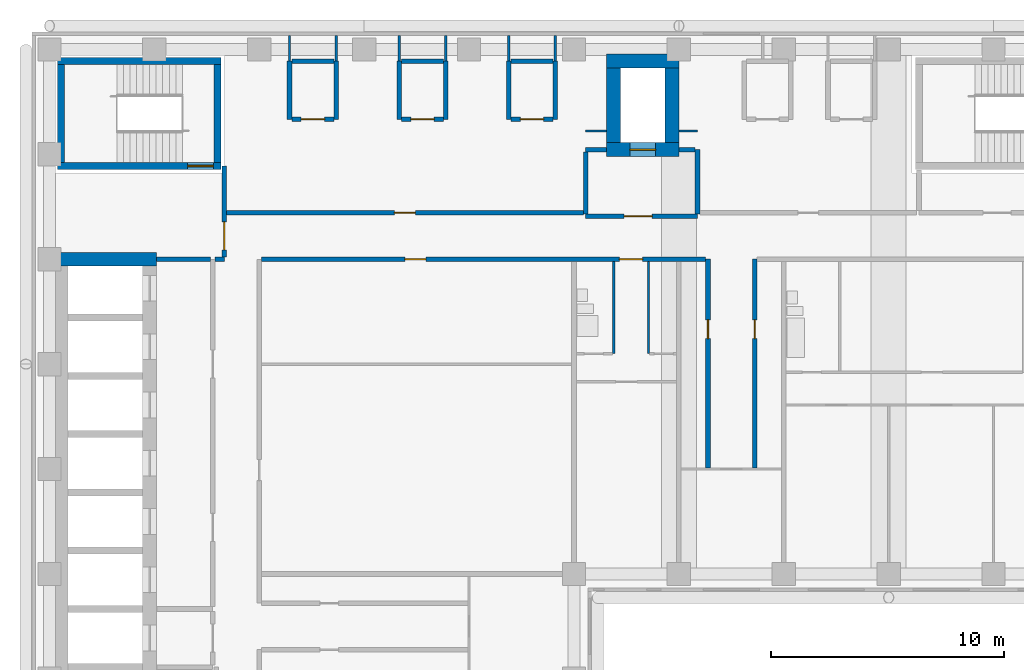
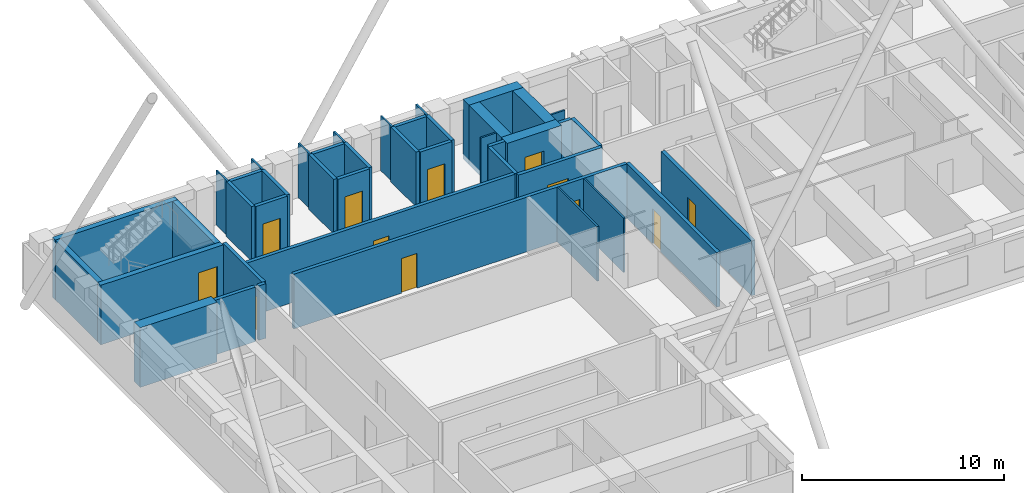
# One storey, part 6 of 13: 43 walls, 12 doors, 12 openings.
"""IFC4 building model written with IfcOpenShell, lengths in metres."""

from ifc_helpers import new_model, si_unit, direction, frame, frame_2d, origin, place, context, subcontext, project, spatial, rectangle, extrude, material, layer, layer_set, type_object, element, fill, save


model = new_model("IFC4")

# Units and contexts
model_context = context("Model", 3, precision=1e-05, world=origin(), true_north=direction((0.0, 1.0)))
body_context = subcontext(model_context, "Body", "Model", "MODEL_VIEW")
ifc_project = project(units=[si_unit("LENGTHUNIT", "METRE"), si_unit("AREAUNIT", "SQUARE_METRE"), si_unit("VOLUMEUNIT", "CUBIC_METRE"), si_unit("PLANEANGLEUNIT", "RADIAN"), si_unit("MASSUNIT", "GRAM", prefix="KILO")], contexts=[model_context])

# Site, building, storey
site_placement = place(None, origin())
site = spatial("IfcSite", under=ifc_project, at=site_placement, CompositionType="ELEMENT")
building_placement = place(site_placement, origin())
building = spatial("IfcBuilding", under=site, at=building_placement, Name="Firuza Court", CompositionType="ELEMENT")
storey_placement = place(building_placement, frame((0.0, 0.0, 141.199951171875)))
storey = spatial("IfcBuildingStorey", under=building, at=storey_placement, Name="L35", CompositionType="ELEMENT", Elevation=141.199951171875)

# Wall
ifc_material_1 = material(Name="Moisture-resistant gypsum board partition")
ifc_layer_1 = layer(ifc_material_1, 0.10009765625)
ifc_layer_set_1 = layer_set([ifc_layer_1], Name="Moisture-resistant gypsum board partition")
wall_type_1 = type_object("IfcWallType", Name="Bathroom partition 100", PredefinedType="PLUMBINGWALL", material=ifc_layer_set_1)
wall_1_placement = place(storey_placement, frame((24.199951171875, 45.449951171875, 0.0), z_axis=(0.0, 0.0, 1.0), x_axis=(0.0, 1.0, 0.0)))
element("IfcWall", 1, at=wall_1_placement, inside=storey, type_object=wall_type_1, Name="Bathroom partition 100 L35", PredefinedType="PLUMBINGWALL", context=body_context, shape_type="SweptSolid", body=[
    extrude(rectangle(XDim=3.949951171875, YDim=0.10009765625, at=frame_2d((1.97509765625, 0.0))), origin(), (0.0, 0.0, 1.0), 3.300048828125),
])

# Wall, opening, door
ifc_material_2 = material(Name="Concrete C60/75", Category="concrete")
ifc_layer_2 = layer(ifc_material_2, 0.300048828125)
ifc_layer_set_2 = layer_set([ifc_layer_2], Name="Concrete C60/75")
wall_type_2 = type_object("IfcWallType", Name="Core wall 300 C60/75", PredefinedType="SHEAR", material=ifc_layer_set_2)
wall_2_placement = place(storey_placement, frame((0.35009765625, 53.5, -0.300048828125), z_axis=(0.0, 0.0, 1.0), x_axis=(1.0, 0.0, 0.0)))
wall_2 = element("IfcWall", 2, at=wall_2_placement, inside=storey, type_object=wall_type_2, Name="Core wall stair L35", PredefinedType="SHEAR", context=body_context, shape_type="SweptSolid", body=[
    extrude(rectangle(XDim=7.0, YDim=0.300048828125, at=frame_2d((3.5, 0.0))), origin(), (0.0, 0.0, 1.0), 3.60009765625),
])
opening_1_placement = place(wall_2_placement, frame((5.580078125, 0.0, 0.300048828125)))
opening_1 = element("IfcOpeningElement", 3, at=opening_1_placement, cuts=wall_2, Name="Opening D35015", PredefinedType="OPENING", context=body_context, shape_type="SweptSolid", body=[
    extrude(rectangle(XDim=1.10009765625, YDim=2.10009765625, at=frame_2d((0.550048828125, 1.050048828125))), frame((0.0, 0.162109375, 0.0), z_axis=(0.0, -1.0, 0.0), x_axis=(1.0, 0.0, 0.0)), (0.0, 0.0, 1.0), 0.323974609375),
])
ifc_material_3 = material(Name="Timber door leaf in hardwood frame", Category="wood")
door_type_1 = type_object("IfcDoorType", Name="Stair door 1100", OperationType="SINGLE_SWING_LEFT", PredefinedType="DOOR", material=ifc_material_3)
door_1_placement = place(opening_1_placement, origin())
door_1 = element("IfcDoor", 4, at=door_1_placement, inside=storey, type_object=door_type_1, Name="Stair door S3", OperationType="SINGLE_SWING_RIGHT", OverallHeight=2.10009765625, OverallWidth=1.10009765625, PredefinedType="DOOR", context=body_context, shape_type="SweptSolid", body=[
    extrude(rectangle(XDim=1.10009765625, YDim=2.10009765625, at=frame_2d((0.550048828125, 1.050048828125))), frame((0.0, 0.02490234375, 0.0), z_axis=(0.0, -1.0, 0.0), x_axis=(1.0, 0.0, 0.0)), (0.0, 0.0, 1.0), 0.050048828125),
])
fill(opening_1, door_1)

# Walls
wall_3_placement = place(storey_placement, frame((0.35009765625, 58.0, -0.300048828125), z_axis=(0.0, 0.0, 1.0), x_axis=(1.0, 0.0, 0.0)))
element("IfcWall", 5, at=wall_3_placement, inside=storey, type_object=wall_type_2, Name="Core wall stair L35", PredefinedType="SHEAR", context=body_context, shape_type="SweptSolid", body=[
    extrude(rectangle(XDim=7.0, YDim=0.300048828125, at=frame_2d((3.5, 0.0))), origin(), (0.0, 0.0, 1.0), 3.60009765625),
])
for number, where, z_axis, x_axis, name in (
    (6, (0.5, 53.64990234375, -0.300048828125), (0.0, 0.0, 1.0), (0.0, 1.0, 0.0), "Core wall stair L35"),
    (7, (7.199951171875, 53.64990234375, -0.300048828125), (0.0, 0.0, 1.0), (0.0, 1.0, 0.0), "Core wall stair L35"),
):
    element("IfcWall", number, at=place(storey_placement, frame(where, z_axis=z_axis, x_axis=x_axis)), inside=storey, type_object=wall_type_2, Name=name, PredefinedType="SHEAR", context=body_context, shape_type="SweptSolid", body=[
        extrude(rectangle(XDim=4.2001953125, YDim=0.300048828125, at=frame_2d((2.10009765625, 0.0))), origin(), (0.0, 0.0, 1.0), 3.60009765625),
    ])
ifc_layer_3 = layer(ifc_material_2, 0.60009765625)
ifc_layer_set_3 = layer_set([ifc_layer_3], Name="Concrete C60/75")
wall_type_3 = type_object("IfcWallType", Name="Core wall 600 C60/75", PredefinedType="SHEAR", material=ifc_layer_set_3)
wall_4_placement = place(storey_placement, frame((0.199951171875, 49.5, -0.300048828125), z_axis=(0.0, 0.0, 1.0), x_axis=(1.0, 0.0, 0.0)))
element("IfcWall", 8, at=wall_4_placement, inside=storey, type_object=wall_type_3, Name="Core wall lift shaft L35", PredefinedType="SHEAR", context=body_context, shape_type="SweptSolid", body=[
    extrude(rectangle(XDim=4.400146484375, YDim=0.60009765625, at=frame_2d((2.2001953125, 0.0))), origin(), (0.0, 0.0, 1.0), 3.60009765625),
])

# Wall, opening, door
wall_5_placement = place(storey_placement, frame((23.89990234375, 54.199951171875, -0.300048828125), z_axis=(0.0, 0.0, 1.0), x_axis=(1.0, 0.0, 0.0)))
wall_5 = element("IfcWall", 9, at=wall_5_placement, inside=storey, type_object=wall_type_3, Name="Core wall lift shaft L35", PredefinedType="SHEAR", context=body_context, shape_type="SweptSolid", body=[
    extrude(rectangle(XDim=3.10009765625, YDim=0.60009765625, at=frame_2d((1.550048828125, 0.0))), origin(), (0.0, 0.0, 1.0), 3.60009765625),
])
opening_2_placement = place(wall_5_placement, frame((1.0, 0.0, 0.300048828125)))
opening_2 = element("IfcOpeningElement", 10, at=opening_2_placement, cuts=wall_5, Name="Opening LD-FL3-35", PredefinedType="OPENING", context=body_context, shape_type="SweptSolid", body=[
    extrude(rectangle(XDim=1.10009765625, YDim=2.10009765625, at=frame_2d((0.550048828125, 1.050048828125))), frame((0.0, 0.31201171875, 0.0), z_axis=(0.0, -1.0, 0.0), x_axis=(1.0, 0.0, 0.0)), (0.0, 0.0, 1.0), 0.6240234375),
])
ifc_material_4 = material(Name="Stainless steel 1.4301 door leaf", Category="steel")
door_type_2 = type_object("IfcDoorType", Name="Lift landing door 1100", OperationType="SLIDING_TO_LEFT", PredefinedType="DOOR", material=ifc_material_4)
door_2_placement = place(opening_2_placement, origin())
door_2 = element("IfcDoor", 11, at=door_2_placement, inside=storey, type_object=door_type_2, Name="Landing door FL3", OperationType="SLIDING_TO_LEFT", OverallHeight=2.10009765625, OverallWidth=1.10009765625, PredefinedType="DOOR", context=body_context, shape_type="SweptSolid", body=[
    extrude(rectangle(XDim=1.10009765625, YDim=2.10009765625, at=frame_2d((0.550048828125, 1.050048828125))), frame((0.0, 0.02490234375, 0.0), z_axis=(0.0, -1.0, 0.0), x_axis=(1.0, 0.0, 0.0)), (0.0, 0.0, 1.0), 0.050048828125),
])
fill(opening_2, door_2)

# Walls
wall_6_placement = place(storey_placement, frame((23.89990234375, 58.0, -0.300048828125), z_axis=(0.0, 0.0, 1.0), x_axis=(1.0, 0.0, 0.0)))
element("IfcWall", 12, at=wall_6_placement, inside=storey, type_object=wall_type_3, Name="Core wall lift shaft L35", PredefinedType="SHEAR", context=body_context, shape_type="SweptSolid", body=[
    extrude(rectangle(XDim=3.10009765625, YDim=0.60009765625, at=frame_2d((1.550048828125, 0.0))), origin(), (0.0, 0.0, 1.0), 3.60009765625),
])
for number, where, z_axis, x_axis, name in (
    (13, (24.199951171875, 54.5, -0.300048828125), (0.0, 0.0, 1.0), (0.0, 1.0, 0.0), "Core wall lift shaft L35"),
    (14, (26.699951171875, 54.5, -0.300048828125), (0.0, 0.0, 1.0), (0.0, 1.0, 0.0), "Core wall lift shaft L35"),
):
    element("IfcWall", number, at=place(storey_placement, frame(where, z_axis=z_axis, x_axis=x_axis)), inside=storey, type_object=wall_type_3, Name=name, PredefinedType="SHEAR", context=body_context, shape_type="SweptSolid", body=[
        extrude(rectangle(XDim=3.199951171875, YDim=0.60009765625, at=frame_2d((1.60009765625, 0.0))), origin(), (0.0, 0.0, 1.0), 3.60009765625),
    ])

# Wall, opening, door
ifc_material_5 = material(Name="Blockwork, plastered both sides", Category="masonry")
ifc_layer_4 = layer(ifc_material_5, 0.199951171875)
ifc_layer_set_4 = layer_set([ifc_layer_4], Name="Blockwork, plastered both sides")
wall_type_4 = type_object("IfcWallType", Name="Corridor wall 200", PredefinedType="PARTITIONING", material=ifc_layer_set_4)
wall_7_placement = place(storey_placement, frame((28.25, 40.550048828125, 0.0), z_axis=(0.0, 0.0, 1.0), x_axis=(0.0, 1.0, 0.0)))
wall_7 = element("IfcWall", 15, at=wall_7_placement, inside=storey, type_object=wall_type_4, Name="Corridor wall 200 L35", PredefinedType="PARTITIONING", context=body_context, shape_type="SweptSolid", body=[
    extrude(rectangle(XDim=8.949951171875, YDim=0.199951171875, at=frame_2d((4.47509765625, 0.0))), origin(), (0.0, 0.0, 1.0), 3.300048828125),
])
opening_3_placement = place(wall_7_placement, frame((5.550048828125, 0.0, 0.0)))
opening_3 = element("IfcOpeningElement", 16, at=opening_3_placement, cuts=wall_7, Name="Opening D35041", PredefinedType="OPENING", context=body_context, shape_type="SweptSolid", body=[
    extrude(rectangle(XDim=0.800048828125, YDim=2.10009765625, at=frame_2d((0.39990234375, 1.050048828125))), frame((0.0, 0.11181640625, 0.0), z_axis=(0.0, -1.0, 0.0), x_axis=(1.0, 0.0, 0.0)), (0.0, 0.0, 1.0), 0.223876953125),
])
ifc_material_6 = material(Name="Timber door leaf in hardwood frame", Category="wood")
door_type_3 = type_object("IfcDoorType", Name="Room door 800 EI 30", OperationType="SINGLE_SWING_LEFT", PredefinedType="DOOR", material=ifc_material_6)
door_3_placement = place(opening_3_placement, origin())
door_3 = element("IfcDoor", 17, at=door_3_placement, inside=storey, type_object=door_type_3, Name="Store door", OperationType="SINGLE_SWING_RIGHT", OverallHeight=2.10009765625, OverallWidth=0.800048828125, PredefinedType="DOOR", context=body_context, shape_type="SweptSolid", body=[
    extrude(rectangle(XDim=0.800048828125, YDim=2.10009765625, at=frame_2d((0.39990234375, 1.050048828125))), frame((0.0, 0.02490234375, 0.0), z_axis=(0.0, -1.0, 0.0), x_axis=(1.0, 0.0, 0.0)), (0.0, 0.0, 1.0), 0.050048828125),
])
fill(opening_3, door_3)

wall_8_placement = place(storey_placement, frame((30.25, 40.550048828125, 0.0), z_axis=(0.0, 0.0, 1.0), x_axis=(0.0, 1.0, 0.0)))
wall_8 = element("IfcWall", 18, at=wall_8_placement, inside=storey, type_object=wall_type_4, Name="Corridor wall 200 L35", PredefinedType="PARTITIONING", context=body_context, shape_type="SweptSolid", body=[
    extrude(rectangle(XDim=8.949951171875, YDim=0.199951171875, at=frame_2d((4.47509765625, 0.0))), origin(), (0.0, 0.0, 1.0), 3.300048828125),
])
opening_4_placement = place(wall_8_placement, frame((5.550048828125, 0.0, 0.0)))
opening_4 = element("IfcOpeningElement", 19, at=opening_4_placement, cuts=wall_8, Name="Opening D35042", PredefinedType="OPENING", context=body_context, shape_type="SweptSolid", body=[
    extrude(rectangle(XDim=0.800048828125, YDim=2.10009765625, at=frame_2d((0.39990234375, 1.050048828125))), frame((0.0, 0.11181640625, 0.0), z_axis=(0.0, -1.0, 0.0), x_axis=(1.0, 0.0, 0.0)), (0.0, 0.0, 1.0), 0.223876953125),
])
door_4_placement = place(opening_4_placement, frame((0.800048828125, 0.0, 0.0), z_axis=(0.0, 0.0, 1.0), x_axis=(-1.0, 0.0, 0.0)))
door_4 = element("IfcDoor", 20, at=door_4_placement, inside=storey, type_object=door_type_3, Name="Store door", OperationType="SINGLE_SWING_LEFT", OverallHeight=2.10009765625, OverallWidth=0.800048828125, PredefinedType="DOOR", context=body_context, shape_type="SweptSolid", body=[
    extrude(rectangle(XDim=0.800048828125, YDim=2.10009765625, at=frame_2d((0.39990234375, 1.050048828125))), frame((0.0, 0.02490234375, 0.0), z_axis=(0.0, -1.0, 0.0), x_axis=(1.0, 0.0, 0.0)), (0.0, 0.0, 1.0), 0.050048828125),
])
fill(opening_4, door_4)

# Wall, openings, doors
wall_9_placement = place(storey_placement, frame((9.10009765625, 49.5, 0.0), z_axis=(0.0, 0.0, 1.0), x_axis=(1.0, 0.0, 0.0)))
wall_9 = element("IfcWall", 21, at=wall_9_placement, inside=storey, type_object=wall_type_4, Name="Corridor wall 200 L35", PredefinedType="PARTITIONING", context=body_context, shape_type="SweptSolid", body=[
    extrude(rectangle(XDim=19.0498046875, YDim=0.199951171875, at=frame_2d((9.52490234375, 0.0))), origin(), (0.0, 0.0, 1.0), 3.300048828125),
])
opening_5_placement = place(wall_9_placement, frame((15.35009765625, 0.0, 0.0)))
opening_5 = element("IfcOpeningElement", 22, at=opening_5_placement, cuts=wall_9, Name="Opening D35063", PredefinedType="OPENING", context=body_context, shape_type="SweptSolid", body=[
    extrude(rectangle(XDim=1.0, YDim=2.10009765625, at=frame_2d((0.5, 1.050048828125))), frame((0.0, 0.11181640625, 0.0), z_axis=(0.0, -1.0, 0.0), x_axis=(1.0, 0.0, 0.0)), (0.0, 0.0, 1.0), 0.223876953125),
])
opening_6_placement = place(wall_9_placement, frame((6.14990234375, 0.0, 0.0)))
opening_6 = element("IfcOpeningElement", 23, at=opening_6_placement, cuts=wall_9, Name="Opening D35064", PredefinedType="OPENING", context=body_context, shape_type="SweptSolid", body=[
    extrude(rectangle(XDim=0.89990234375, YDim=2.10009765625, at=frame_2d((0.449951171875, 1.050048828125))), frame((0.0, 0.11181640625, 0.0), z_axis=(0.0, -1.0, 0.0), x_axis=(1.0, 0.0, 0.0)), (0.0, 0.0, 1.0), 0.223876953125),
])
ifc_material_7 = material(Name="Timber door leaf in hardwood frame", Category="wood")
door_type_4 = type_object("IfcDoorType", Name="Flat entrance door 1000", OperationType="SINGLE_SWING_LEFT", PredefinedType="DOOR", material=ifc_material_7)
door_5_placement = place(opening_5_placement, origin())
door_5 = element("IfcDoor", 24, at=door_5_placement, inside=storey, type_object=door_type_4, Name="Flat entrance door", OperationType="SINGLE_SWING_LEFT", OverallHeight=2.10009765625, OverallWidth=1.0, PredefinedType="DOOR", context=body_context, shape_type="SweptSolid", body=[
    extrude(rectangle(XDim=1.0, YDim=2.10009765625, at=frame_2d((0.5, 1.050048828125))), frame((0.0, 0.02490234375, 0.0), z_axis=(0.0, -1.0, 0.0), x_axis=(1.0, 0.0, 0.0)), (0.0, 0.0, 1.0), 0.050048828125),
])
fill(opening_5, door_5)
ifc_material_8 = material(Name="Timber door leaf in hardwood frame", Category="wood")
door_type_5 = type_object("IfcDoorType", Name="Room door 900 EI 30", OperationType="SINGLE_SWING_LEFT", PredefinedType="DOOR", material=ifc_material_8)
door_6_placement = place(opening_6_placement, origin())
door_6 = element("IfcDoor", 25, at=door_6_placement, inside=storey, type_object=door_type_5, Name="Cinema room door", OperationType="SINGLE_SWING_LEFT", OverallHeight=2.10009765625, OverallWidth=0.89990234375, PredefinedType="DOOR", context=body_context, shape_type="SweptSolid", body=[
    extrude(rectangle(XDim=0.89990234375, YDim=2.10009765625, at=frame_2d((0.449951171875, 1.050048828125))), frame((0.0, 0.02490234375, 0.0), z_axis=(0.0, -1.0, 0.0), x_axis=(1.0, 0.0, 0.0)), (0.0, 0.0, 1.0), 0.050048828125),
])
fill(opening_6, door_6)

# Wall, opening, door
wall_10_placement = place(storey_placement, frame((7.60009765625, 51.5, 0.0), z_axis=(0.0, 0.0, 1.0), x_axis=(1.0, 0.0, 0.0)))
wall_10 = element("IfcWall", 26, at=wall_10_placement, inside=storey, type_object=wall_type_4, Name="Corridor wall 200 L35", PredefinedType="PARTITIONING", context=body_context, shape_type="SweptSolid", body=[
    extrude(rectangle(XDim=15.2998046875, YDim=0.199951171875, at=frame_2d((7.64990234375, 0.0))), origin(), (0.0, 0.0, 1.0), 3.300048828125),
])
opening_7_placement = place(wall_10_placement, frame((7.199951171875, 0.0, 0.0)))
opening_7 = element("IfcOpeningElement", 27, at=opening_7_placement, cuts=wall_10, Name="Opening D35067", PredefinedType="OPENING", context=body_context, shape_type="SweptSolid", body=[
    extrude(rectangle(XDim=0.89990234375, YDim=2.10009765625, at=frame_2d((0.449951171875, 1.050048828125))), frame((0.0, 0.11181640625, 0.0), z_axis=(0.0, -1.0, 0.0), x_axis=(1.0, 0.0, 0.0)), (0.0, 0.0, 1.0), 0.223876953125),
])
door_7_placement = place(opening_7_placement, origin())
door_7 = element("IfcDoor", 28, at=door_7_placement, inside=storey, type_object=door_type_5, Name="Residents' workroom door", OperationType="SINGLE_SWING_LEFT", OverallHeight=2.10009765625, OverallWidth=0.89990234375, PredefinedType="DOOR", context=body_context, shape_type="SweptSolid", body=[
    extrude(rectangle(XDim=0.89990234375, YDim=2.10009765625, at=frame_2d((0.449951171875, 1.050048828125))), frame((0.0, 0.02490234375, 0.0), z_axis=(0.0, -1.0, 0.0), x_axis=(1.0, 0.0, 0.0)), (0.0, 0.0, 1.0), 0.050048828125),
])
fill(opening_7, door_7)

# Walls
ifc_material_9 = material(Name="Timber stud partition, plasterboard both sides", Category="wood")
ifc_layer_5 = layer(ifc_material_9, 0.10009765625)
ifc_layer_set_5 = layer_set([ifc_layer_5], Name="Timber stud partition, plasterboard both sides")
wall_type_5 = type_object("IfcWallType", Name="Partition wall 100", PredefinedType="PARTITIONING", material=ifc_layer_set_5)
wall_11_placement = place(storey_placement, frame((25.699951171875, 45.449951171875, 0.0), z_axis=(0.0, 0.0, 1.0), x_axis=(0.0, 1.0, 0.0)))
element("IfcWall", 29, at=wall_11_placement, inside=storey, type_object=wall_type_5, Name="Partition wall 100 L35", PredefinedType="PARTITIONING", context=body_context, shape_type="SweptSolid", body=[
    extrude(rectangle(XDim=3.949951171875, YDim=0.10009765625, at=frame_2d((1.97509765625, 0.0))), origin(), (0.0, 0.0, 1.0), 3.300048828125),
])
wall_12_placement = place(storey_placement, frame((23.0, 55.0, 0.0), z_axis=(0.0, 0.0, 1.0), x_axis=(1.0, 0.0, 0.0)))
element("IfcWall", 30, at=wall_12_placement, inside=storey, type_object=wall_type_5, Name="Partition wall 100 L35", PredefinedType="PARTITIONING", context=body_context, shape_type="SweptSolid", body=[
    extrude(rectangle(XDim=0.89990234375, YDim=0.10009765625, at=frame_2d((0.449951171875, 0.0))), origin(), (0.0, 0.0, 1.0), 3.300048828125),
])
wall_13_placement = place(storey_placement, frame((27.0, 55.0, 0.0), z_axis=(0.0, 0.0, 1.0), x_axis=(1.0, 0.0, 0.0)))
element("IfcWall", 31, at=wall_13_placement, inside=storey, type_object=wall_type_5, Name="Partition wall 100 L35", PredefinedType="PARTITIONING", context=body_context, shape_type="SweptSolid", body=[
    extrude(rectangle(XDim=0.800048828125, YDim=0.10009765625, at=frame_2d((0.39990234375, 0.0))), origin(), (0.0, 0.0, 1.0), 3.300048828125),
])
for number, where, z_axis, x_axis, name in (
    (32, (10.300048828125, 58.0, 0.0), (0.0, 0.0, 1.0), (0.0, 1.0, 0.0), "Partition wall 100 L35"),
    (33, (12.300048828125, 58.0, 0.0), (0.0, 0.0, 1.0), (0.0, 1.0, 0.0), "Partition wall 100 L35"),
    (34, (15.0, 58.0, 0.0), (0.0, 0.0, 1.0), (0.0, 1.0, 0.0), "Partition wall 100 L35"),
    (35, (17.0, 58.0, 0.0), (0.0, 0.0, 1.0), (0.0, 1.0, 0.0), "Partition wall 100 L35"),
    (36, (19.699951171875, 58.0, 0.0), (0.0, 0.0, 1.0), (0.0, 1.0, 0.0), "Partition wall 100 L35"),
    (37, (21.699951171875, 58.0, 0.0), (0.0, 0.0, 1.0), (0.0, 1.0, 0.0), "Partition wall 100 L35"),
):
    element("IfcWall", number, at=place(storey_placement, frame(where, z_axis=z_axis, x_axis=x_axis)), inside=storey, type_object=wall_type_5, Name=name, PredefinedType="PARTITIONING", context=body_context, shape_type="SweptSolid", body=[
        extrude(rectangle(XDim=1.10009765625, YDim=0.10009765625, at=frame_2d((0.550048828125, 0.0))), origin(), (0.0, 0.0, 1.0), 3.300048828125),
    ])
ifc_material_10 = material(Name="Blockwork, fire-rated", Category="masonry")
ifc_layer_6 = layer(ifc_material_10, 0.199951171875)
ifc_layer_set_6 = layer_set([ifc_layer_6], Name="Blockwork, fire-rated")
wall_type_6 = type_object("IfcWallType", Name="Plant room wall 200", PredefinedType="PARTITIONING", material=ifc_layer_set_6)
wall_14_placement = place(storey_placement, frame((10.300048828125, 55.5, 0.0), z_axis=(0.0, 0.0, 1.0), x_axis=(0.0, 1.0, 0.0)))
element("IfcWall", 38, at=wall_14_placement, inside=storey, type_object=wall_type_6, Name="Plant room wall 200 L35", PredefinedType="PARTITIONING", context=body_context, shape_type="SweptSolid", body=[
    extrude(rectangle(XDim=2.5, YDim=0.199951171875, at=frame_2d((1.25, 0.0))), origin(), (0.0, 0.0, 1.0), 3.300048828125),
])

# Wall, opening, door
wall_15_placement = place(storey_placement, frame((10.39990234375, 55.5, 0.0), z_axis=(0.0, 0.0, 1.0), x_axis=(1.0, 0.0, 0.0)))
wall_15 = element("IfcWall", 39, at=wall_15_placement, inside=storey, type_object=wall_type_6, Name="Plant room wall 200 L35", PredefinedType="PARTITIONING", context=body_context, shape_type="SweptSolid", body=[
    extrude(rectangle(XDim=1.800048828125, YDim=0.199951171875, at=frame_2d((0.89990234375, 0.0))), origin(), (0.0, 0.0, 1.0), 3.300048828125),
])
opening_8_placement = place(wall_15_placement, frame((0.39990234375, 0.0, 0.0)))
opening_8 = element("IfcOpeningElement", 40, at=opening_8_placement, cuts=wall_15, Name="Opening D35072", PredefinedType="OPENING", context=body_context, shape_type="SweptSolid", body=[
    extrude(rectangle(XDim=1.0, YDim=2.10009765625, at=frame_2d((0.5, 1.050048828125))), frame((0.0, 0.11181640625, 0.0), z_axis=(0.0, -1.0, 0.0), x_axis=(1.0, 0.0, 0.0)), (0.0, 0.0, 1.0), 0.223876953125),
])
ifc_material_11 = material(Name="Timber door leaf in hardwood frame", Category="wood")
door_type_6 = type_object("IfcDoorType", Name="Riser door 1000", OperationType="SINGLE_SWING_LEFT", PredefinedType="DOOR", material=ifc_material_11)
door_8_placement = place(opening_8_placement, origin())
door_8 = element("IfcDoor", 41, at=door_8_placement, inside=storey, type_object=door_type_6, Name="Comms riser door", OperationType="SINGLE_SWING_LEFT", OverallHeight=2.10009765625, OverallWidth=1.0, PredefinedType="DOOR", context=body_context, shape_type="SweptSolid", body=[
    extrude(rectangle(XDim=1.0, YDim=2.10009765625, at=frame_2d((0.5, 1.050048828125))), frame((0.0, 0.02490234375, 0.0), z_axis=(0.0, -1.0, 0.0), x_axis=(1.0, 0.0, 0.0)), (0.0, 0.0, 1.0), 0.050048828125),
])
fill(opening_8, door_8)

# Walls
for number, where, z_axis, x_axis, name in (
    (42, (12.300048828125, 55.5, 0.0), (0.0, 0.0, 1.0), (0.0, 1.0, 0.0), "Plant room wall 200 L35"),
    (43, (15.0, 55.5, 0.0), (0.0, 0.0, 1.0), (0.0, 1.0, 0.0), "Plant room wall 200 L35"),
):
    element("IfcWall", number, at=place(storey_placement, frame(where, z_axis=z_axis, x_axis=x_axis)), inside=storey, type_object=wall_type_6, Name=name, PredefinedType="PARTITIONING", context=body_context, shape_type="SweptSolid", body=[
        extrude(rectangle(XDim=2.5, YDim=0.199951171875, at=frame_2d((1.25, 0.0))), origin(), (0.0, 0.0, 1.0), 3.300048828125),
    ])

# Wall, opening, door
wall_16_placement = place(storey_placement, frame((15.10009765625, 55.5, 0.0), z_axis=(0.0, 0.0, 1.0), x_axis=(1.0, 0.0, 0.0)))
wall_16 = element("IfcWall", 44, at=wall_16_placement, inside=storey, type_object=wall_type_6, Name="Plant room wall 200 L35", PredefinedType="PARTITIONING", context=body_context, shape_type="SweptSolid", body=[
    extrude(rectangle(XDim=1.7998046875, YDim=0.199951171875, at=frame_2d((0.89990234375, 0.0))), origin(), (0.0, 0.0, 1.0), 3.300048828125),
])
opening_9_placement = place(wall_16_placement, frame((0.39990234375, 0.0, 0.0)))
opening_9 = element("IfcOpeningElement", 45, at=opening_9_placement, cuts=wall_16, Name="Opening D35073", PredefinedType="OPENING", context=body_context, shape_type="SweptSolid", body=[
    extrude(rectangle(XDim=1.0, YDim=2.10009765625, at=frame_2d((0.5, 1.050048828125))), frame((0.0, 0.11181640625, 0.0), z_axis=(0.0, -1.0, 0.0), x_axis=(1.0, 0.0, 0.0)), (0.0, 0.0, 1.0), 0.223876953125),
])
door_9_placement = place(opening_9_placement, origin())
door_9 = element("IfcDoor", 46, at=door_9_placement, inside=storey, type_object=door_type_6, Name="Electrical riser door", OperationType="SINGLE_SWING_LEFT", OverallHeight=2.10009765625, OverallWidth=1.0, PredefinedType="DOOR", context=body_context, shape_type="SweptSolid", body=[
    extrude(rectangle(XDim=1.0, YDim=2.10009765625, at=frame_2d((0.5, 1.050048828125))), frame((0.0, 0.02490234375, 0.0), z_axis=(0.0, -1.0, 0.0), x_axis=(1.0, 0.0, 0.0)), (0.0, 0.0, 1.0), 0.050048828125),
])
fill(opening_9, door_9)

# Walls
for number, where, z_axis, x_axis, name in (
    (47, (17.0, 55.5, 0.0), (0.0, 0.0, 1.0), (0.0, 1.0, 0.0), "Plant room wall 200 L35"),
    (48, (19.699951171875, 55.5, 0.0), (0.0, 0.0, 1.0), (0.0, 1.0, 0.0), "Plant room wall 200 L35"),
):
    element("IfcWall", number, at=place(storey_placement, frame(where, z_axis=z_axis, x_axis=x_axis)), inside=storey, type_object=wall_type_6, Name=name, PredefinedType="PARTITIONING", context=body_context, shape_type="SweptSolid", body=[
        extrude(rectangle(XDim=2.5, YDim=0.199951171875, at=frame_2d((1.25, 0.0))), origin(), (0.0, 0.0, 1.0), 3.300048828125),
    ])

# Wall, opening, door
wall_17_placement = place(storey_placement, frame((19.800048828125, 55.5, 0.0), z_axis=(0.0, 0.0, 1.0), x_axis=(1.0, 0.0, 0.0)))
wall_17 = element("IfcWall", 49, at=wall_17_placement, inside=storey, type_object=wall_type_6, Name="Plant room wall 200 L35", PredefinedType="PARTITIONING", context=body_context, shape_type="SweptSolid", body=[
    extrude(rectangle(XDim=1.800048828125, YDim=0.199951171875, at=frame_2d((0.89990234375, 0.0))), origin(), (0.0, 0.0, 1.0), 3.300048828125),
])
opening_10_placement = place(wall_17_placement, frame((0.39990234375, 0.0, 0.0)))
opening_10 = element("IfcOpeningElement", 50, at=opening_10_placement, cuts=wall_17, Name="Opening D35074", PredefinedType="OPENING", context=body_context, shape_type="SweptSolid", body=[
    extrude(rectangle(XDim=1.0, YDim=2.10009765625, at=frame_2d((0.5, 1.050048828125))), frame((0.0, 0.11181640625, 0.0), z_axis=(0.0, -1.0, 0.0), x_axis=(1.0, 0.0, 0.0)), (0.0, 0.0, 1.0), 0.223876953125),
])
door_10_placement = place(opening_10_placement, origin())
door_10 = element("IfcDoor", 51, at=door_10_placement, inside=storey, type_object=door_type_6, Name="Duct riser door", OperationType="SINGLE_SWING_LEFT", OverallHeight=2.10009765625, OverallWidth=1.0, PredefinedType="DOOR", context=body_context, shape_type="SweptSolid", body=[
    extrude(rectangle(XDim=1.0, YDim=2.10009765625, at=frame_2d((0.5, 1.050048828125))), frame((0.0, 0.02490234375, 0.0), z_axis=(0.0, -1.0, 0.0), x_axis=(1.0, 0.0, 0.0)), (0.0, 0.0, 1.0), 0.050048828125),
])
fill(opening_10, door_10)

# Walls
wall_18_placement = place(storey_placement, frame((21.699951171875, 55.5, 0.0), z_axis=(0.0, 0.0, 1.0), x_axis=(0.0, 1.0, 0.0)))
element("IfcWall", 52, at=wall_18_placement, inside=storey, type_object=wall_type_6, Name="Plant room wall 200 L35", PredefinedType="PARTITIONING", context=body_context, shape_type="SweptSolid", body=[
    extrude(rectangle(XDim=2.5, YDim=0.199951171875, at=frame_2d((1.25, 0.0))), origin(), (0.0, 0.0, 1.0), 3.300048828125),
])
wall_19_placement = place(storey_placement, frame((10.39990234375, 58.0, 0.0), z_axis=(0.0, 0.0, 1.0), x_axis=(1.0, 0.0, 0.0)))
element("IfcWall", 53, at=wall_19_placement, inside=storey, type_object=wall_type_6, Name="Plant room wall 200 L35", PredefinedType="PARTITIONING", context=body_context, shape_type="SweptSolid", body=[
    extrude(rectangle(XDim=1.800048828125, YDim=0.199951171875, at=frame_2d((0.89990234375, 0.0))), origin(), (0.0, 0.0, 1.0), 3.300048828125),
])
wall_20_placement = place(storey_placement, frame((15.10009765625, 58.0, 0.0), z_axis=(0.0, 0.0, 1.0), x_axis=(1.0, 0.0, 0.0)))
element("IfcWall", 54, at=wall_20_placement, inside=storey, type_object=wall_type_6, Name="Plant room wall 200 L35", PredefinedType="PARTITIONING", context=body_context, shape_type="SweptSolid", body=[
    extrude(rectangle(XDim=1.7998046875, YDim=0.199951171875, at=frame_2d((0.89990234375, 0.0))), origin(), (0.0, 0.0, 1.0), 3.300048828125),
])
wall_21_placement = place(storey_placement, frame((19.800048828125, 58.0, 0.0), z_axis=(0.0, 0.0, 1.0), x_axis=(1.0, 0.0, 0.0)))
element("IfcWall", 55, at=wall_21_placement, inside=storey, type_object=wall_type_6, Name="Plant room wall 200 L35", PredefinedType="PARTITIONING", context=body_context, shape_type="SweptSolid", body=[
    extrude(rectangle(XDim=1.800048828125, YDim=0.199951171875, at=frame_2d((0.89990234375, 0.0))), origin(), (0.0, 0.0, 1.0), 3.300048828125),
])
ifc_layer_7 = layer(ifc_material_10, 0.199951171875)
ifc_layer_set_7 = layer_set([ifc_layer_7], Name="Blockwork, fire-rated")
wall_type_7 = type_object("IfcWallType", Name="Shaft wall 200", PredefinedType="PARTITIONING", material=ifc_layer_set_7)
wall_22_placement = place(storey_placement, frame((4.60009765625, 49.5, 0.0), z_axis=(0.0, 0.0, 1.0), x_axis=(1.0, 0.0, 0.0)))
element("IfcWall", 56, at=wall_22_placement, inside=storey, type_object=wall_type_7, Name="Shaft wall 200 L35", PredefinedType="PARTITIONING", context=body_context, shape_type="SweptSolid", body=[
    extrude(rectangle(XDim=2.2998046875, YDim=0.199951171875, at=frame_2d((1.14990234375, 0.0))), origin(), (0.0, 0.0, 1.0), 3.300048828125),
])

# Wall, opening, door
wall_23_placement = place(storey_placement, frame((23.0, 51.35009765625, 0.0), z_axis=(0.0, 0.0, 1.0), x_axis=(1.0, 0.0, 0.0)))
wall_23 = element("IfcWall", 57, at=wall_23_placement, inside=storey, type_object=wall_type_7, Name="Shaft wall 200 L35", PredefinedType="PARTITIONING", context=body_context, shape_type="SweptSolid", body=[
    extrude(rectangle(XDim=4.800048828125, YDim=0.199951171875, at=frame_2d((2.39990234375, 0.0))), origin(), (0.0, 0.0, 1.0), 3.300048828125),
])
opening_11_placement = place(wall_23_placement, frame((1.64990234375, 0.0, 0.0)))
opening_11 = element("IfcOpeningElement", 58, at=opening_11_placement, cuts=wall_23, Name="Opening D35003", PredefinedType="OPENING", context=body_context, shape_type="SweptSolid", body=[
    extrude(rectangle(XDim=1.199951171875, YDim=2.10009765625, at=frame_2d((0.60009765625, 1.050048828125))), frame((0.0, 0.11181640625, 0.0), z_axis=(0.0, -1.0, 0.0), x_axis=(1.0, 0.0, 0.0)), (0.0, 0.0, 1.0), 0.223876953125),
])
ifc_material_12 = material(Name="Timber door leaf in hardwood frame", Category="wood")
door_type_7 = type_object("IfcDoorType", Name="Lobby door 1200", OperationType="SINGLE_SWING_LEFT", PredefinedType="DOOR", material=ifc_material_12)
door_11_placement = place(opening_11_placement, origin())
door_11 = element("IfcDoor", 59, at=door_11_placement, inside=storey, type_object=door_type_7, Name="Fire-fighting lobby door", OperationType="SINGLE_SWING_LEFT", OverallHeight=2.10009765625, OverallWidth=1.199951171875, PredefinedType="DOOR", context=body_context, shape_type="SweptSolid", body=[
    extrude(rectangle(XDim=1.199951171875, YDim=2.10009765625, at=frame_2d((0.60009765625, 1.050048828125))), frame((0.0, 0.02490234375, 0.0), z_axis=(0.0, -1.0, 0.0), x_axis=(1.0, 0.0, 0.0)), (0.0, 0.0, 1.0), 0.050048828125),
])
fill(opening_11, door_11)

# Walls
wall_24_placement = place(storey_placement, frame((27.800048828125, 51.449951171875, 0.0), z_axis=(0.0, 0.0, 1.0), x_axis=(0.0, 1.0, 0.0)))
element("IfcWall", 60, at=wall_24_placement, inside=storey, type_object=wall_type_7, Name="Shaft wall 200 L35", PredefinedType="PARTITIONING", context=body_context, shape_type="SweptSolid", body=[
    extrude(rectangle(XDim=2.75, YDim=0.199951171875, at=frame_2d((1.375, 0.0))), origin(), (0.0, 0.0, 1.0), 3.300048828125),
])
wall_25_placement = place(storey_placement, frame((23.0, 54.199951171875, 0.0), z_axis=(0.0, 0.0, 1.0), x_axis=(1.0, 0.0, 0.0)))
element("IfcWall", 61, at=wall_25_placement, inside=storey, type_object=wall_type_7, Name="Shaft wall 200 L35", PredefinedType="PARTITIONING", context=body_context, shape_type="SweptSolid", body=[
    extrude(rectangle(XDim=0.89990234375, YDim=0.199951171875, at=frame_2d((0.449951171875, 0.0))), origin(), (0.0, 0.0, 1.0), 3.300048828125),
])
wall_26_placement = place(storey_placement, frame((27.0, 54.199951171875, 0.0), z_axis=(0.0, 0.0, 1.0), x_axis=(1.0, 0.0, 0.0)))
element("IfcWall", 62, at=wall_26_placement, inside=storey, type_object=wall_type_7, Name="Shaft wall 200 L35", PredefinedType="PARTITIONING", context=body_context, shape_type="SweptSolid", body=[
    extrude(rectangle(XDim=0.699951171875, YDim=0.199951171875, at=frame_2d((0.35009765625, 0.0))), origin(), (0.0, 0.0, 1.0), 3.300048828125),
])
wall_27_placement = place(storey_placement, frame((23.0, 51.449951171875, 0.0), z_axis=(0.0, 0.0, 1.0), x_axis=(0.0, 1.0, 0.0)))
element("IfcWall", 63, at=wall_27_placement, inside=storey, type_object=wall_type_7, Name="Shaft wall 200 L35", PredefinedType="PARTITIONING", context=body_context, shape_type="SweptSolid", body=[
    extrude(rectangle(XDim=2.650146484375, YDim=0.199951171875, at=frame_2d((1.3251953125, 0.0))), origin(), (0.0, 0.0, 1.0), 3.300048828125),
])
wall_28_placement = place(storey_placement, frame((7.10009765625, 49.5, 0.0), z_axis=(0.0, 0.0, 1.0), x_axis=(1.0, 0.0, 0.0)))
element("IfcWall", 64, at=wall_28_placement, inside=storey, type_object=wall_type_7, Name="Shaft wall 200 L35", PredefinedType="PARTITIONING", context=body_context, shape_type="SweptSolid", body=[
    extrude(rectangle(XDim=0.39990234375, YDim=0.199951171875, at=frame_2d((0.199951171875, 0.0))), origin(), (0.0, 0.0, 1.0), 3.300048828125),
])

# Wall, opening, door
wall_29_placement = place(storey_placement, frame((7.5, 49.60009765625, 0.0), z_axis=(0.0, 0.0, 1.0), x_axis=(0.0, 1.0, 0.0)))
wall_29 = element("IfcWall", 65, at=wall_29_placement, inside=storey, type_object=wall_type_7, Name="Shaft wall 200 L35", PredefinedType="PARTITIONING", context=body_context, shape_type="SweptSolid", body=[
    extrude(rectangle(XDim=3.89990234375, YDim=0.199951171875, at=frame_2d((1.949951171875, 0.0))), origin(), (0.0, 0.0, 1.0), 3.300048828125),
])
opening_12_placement = place(wall_29_placement, frame((0.300048828125, 0.0, 0.0)))
opening_12 = element("IfcOpeningElement", 66, at=opening_12_placement, cuts=wall_29, Name="Opening D35001", PredefinedType="OPENING", context=body_context, shape_type="SweptSolid", body=[
    extrude(rectangle(XDim=1.199951171875, YDim=2.10009765625, at=frame_2d((0.60009765625, 1.050048828125))), frame((0.0, 0.11181640625, 0.0), z_axis=(0.0, -1.0, 0.0), x_axis=(1.0, 0.0, 0.0)), (0.0, 0.0, 1.0), 0.223876953125),
])
door_12_placement = place(opening_12_placement, origin())
door_12 = element("IfcDoor", 67, at=door_12_placement, inside=storey, type_object=door_type_7, Name="Lobby door", OperationType="SINGLE_SWING_LEFT", OverallHeight=2.10009765625, OverallWidth=1.199951171875, PredefinedType="DOOR", context=body_context, shape_type="SweptSolid", body=[
    extrude(rectangle(XDim=1.199951171875, YDim=2.10009765625, at=frame_2d((0.60009765625, 1.050048828125))), frame((0.0, 0.02490234375, 0.0), z_axis=(0.0, -1.0, 0.0), x_axis=(1.0, 0.0, 0.0)), (0.0, 0.0, 1.0), 0.050048828125),
])
fill(opening_12, door_12)

save(model, "model.ifc")
